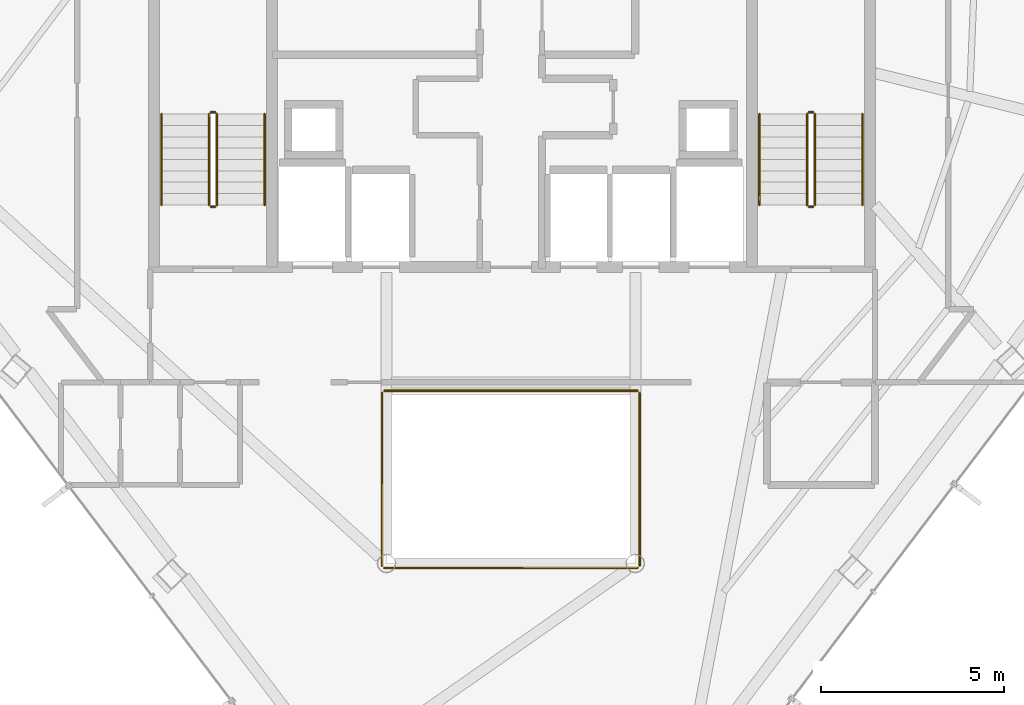
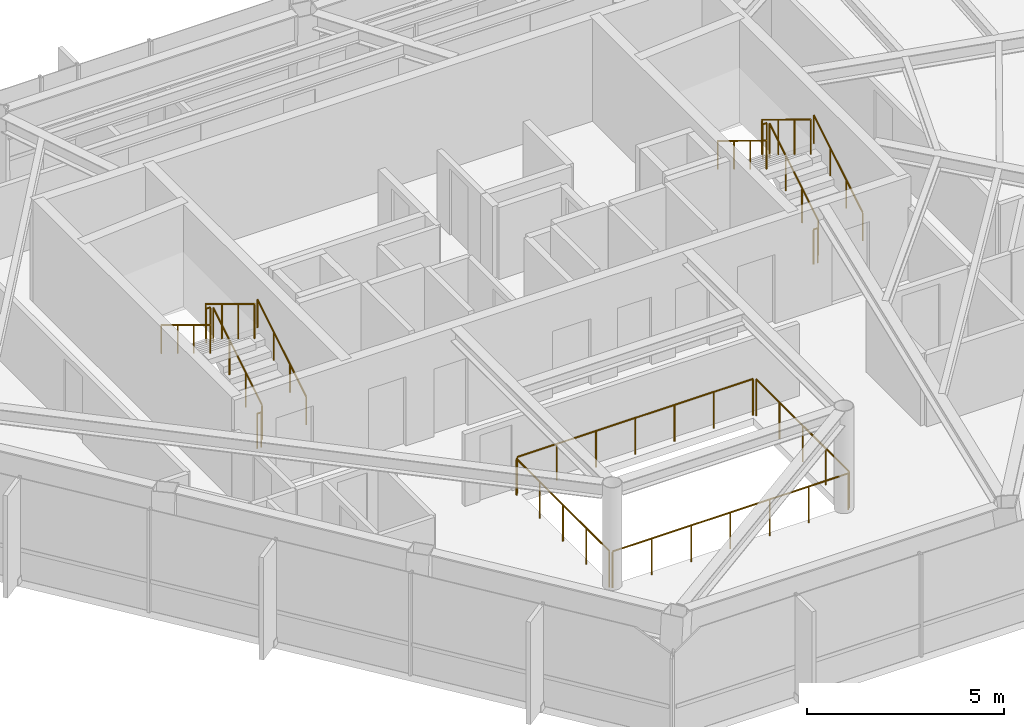
# One storey, part 25 of 25: 16 railings.
"""IFC4 building model written with IfcOpenShell, lengths in metres."""

import ifcopenshell
import ifcopenshell.guid

model = None  # the IFC model being written
_history = None  # IfcOwnerHistory: only IFC2X3 demands one
_inside = {}  # id of a spatial element -> (the spatial element, [elements in it])
_under = {}  # id of a project, library or spatial element -> (it, [spatial elements below it])
_declared = {}  # id of a project -> (the project, [libraries it declares])
_typed = {}  # id of a type object -> (the type object, [elements of that type])
_made_of = {}  # id of a material, layer set ... -> (it, [elements and type objects made of it])


def new_model(schema):
    """Start an empty IFC model of exactly this schema.

    Asked for "IFC4X3", IfcOpenShell would pick the latest addendum, in which some entities
    have other attributes; the version numbers below select the first issue.
    IFC2X3 requires an IfcOwnerHistory on every rooted entity: one is made here for all.
    """
    global model, _history
    if schema == "IFC4X3":
        model = ifcopenshell.file(schema_version=(4, 3, 0, 0))
    else:
        model = ifcopenshell.file(schema=schema)
    _inside.clear()
    _under.clear()
    _declared.clear()
    _typed.clear()
    _made_of.clear()
    _history = None
    if model.schema == "IFC2X3":
        org = make("IfcOrganization", Name="unknown")
        user = make(
            "IfcPersonAndOrganization",
            ThePerson=make("IfcPerson", FamilyName="unknown"),
            TheOrganization=org,
        )
        app = make(
            "IfcApplication",
            ApplicationDeveloper=org,
            Version="unknown",
            ApplicationFullName="unknown",
            ApplicationIdentifier="unknown",
        )
        _history = make(
            "IfcOwnerHistory",
            OwningUser=user,
            OwningApplication=app,
            ChangeAction="ADDED",
            CreationDate=0,
        )
    return model


def make(cls, **values):
    """One entity of the class cls with the attributes given. An attribute that is None is left unset."""
    return model.create_entity(
        cls, **{name: value for name, value in values.items() if value is not None}
    )


def rooted(cls, **values):
    """An entity with a GlobalId (a new one), such as an element, a storey or a relation."""
    return make(cls, GlobalId=ifcopenshell.guid.new(), OwnerHistory=_history, **values)


def si_unit(unit_type, name, prefix=None):
    """IfcSIUnit, for example si_unit("LENGTHUNIT", "METRE", prefix="MILLI")."""
    return make("IfcSIUnit", UnitType=unit_type, Prefix=prefix, Name=name)


def assignment(units):
    """IfcUnitAssignment: the units of a project."""
    return None if units is None else make("IfcUnitAssignment", Units=units)


def point(xyz):
    """IfcCartesianPoint."""
    return None if xyz is None else make("IfcCartesianPoint", Coordinates=xyz)


def direction(xyz):
    """IfcDirection."""
    return None if xyz is None else make("IfcDirection", DirectionRatios=xyz)


def frame(location, z_axis=None, x_axis=None):
    """IfcAxis2Placement3D, a coordinate frame: its origin and axes. An axis left out is left unset."""
    return make(
        "IfcAxis2Placement3D",
        Location=point(location),
        Axis=direction(z_axis),
        RefDirection=direction(x_axis),
    )


def frame_2d(location, x_axis=None):
    """IfcAxis2Placement2D, a coordinate frame in the plane: its origin and x axis."""
    return make(
        "IfcAxis2Placement2D", Location=point(location), RefDirection=direction(x_axis)
    )


def origin():
    """The frame at (0, 0, 0) with its axes left unset."""
    return frame((0.0, 0.0, 0.0))


def origin_2d():
    """The frame at (0, 0) in the plane with its x axis left unset."""
    return frame_2d((0.0, 0.0))


def place(relative_to, where):
    """IfcLocalPlacement: puts the frame where relative to a parent placement (None: the world)."""
    return make(
        "IfcLocalPlacement", PlacementRelTo=relative_to, RelativePlacement=where
    )


def context(
    kind, dimensions, precision=None, world=None, true_north=None, identifier=None
):
    """IfcGeometricRepresentationContext, for example the 3D "Model" context."""
    return make(
        "IfcGeometricRepresentationContext",
        ContextIdentifier=identifier,
        ContextType=kind,
        CoordinateSpaceDimension=dimensions,
        Precision=precision,
        WorldCoordinateSystem=world,
        TrueNorth=true_north,
    )


def subcontext(parent, identifier, kind, view, scale=None):
    """IfcGeometricRepresentationSubContext, for example "Body" below "Model"."""
    return make(
        "IfcGeometricRepresentationSubContext",
        ContextIdentifier=identifier,
        ContextType=kind,
        ParentContext=parent,
        TargetScale=scale,
        TargetView=view,
    )


def project(units=None, contexts=None):
    """IfcProject with its units and contexts."""
    return rooted(
        "IfcProject",
        Name="project",
        RepresentationContexts=contexts,
        UnitsInContext=assignment(units),
    )


def spatial(cls, under=None, at=None, **own):
    """A site, building, storey or space (cls), placed at a placement, below another one or the project."""
    s = rooted(cls, ObjectPlacement=at, **own)
    if under is not None:
        _under.setdefault(under.id(), (under, []))[1].append(s)
    return s


def profile(cls, at=None, kind="AREA", **sizes):
    """A parametric profile (cls). Its sizes go by their IFC names, for example OverallWidth=200.0."""
    return make(cls, ProfileType=kind, Position=at, **sizes)


def circle(**sizes):
    """IfcCircleProfileDef."""
    return profile("IfcCircleProfileDef", **sizes)


def extrude(swept, where, along, depth):
    """IfcExtrudedAreaSolid: the profile swept, set in the frame where, extruded along a direction by depth."""
    return make(
        "IfcExtrudedAreaSolid",
        SweptArea=swept,
        Position=where,
        ExtrudedDirection=direction(along),
        Depth=depth,
    )


def shape(context_of_items, identifier, shape_type, items):
    """IfcShapeRepresentation: the items that make up one representation, for example the "Body"."""
    return make(
        "IfcShapeRepresentation",
        ContextOfItems=context_of_items,
        RepresentationIdentifier=identifier,
        RepresentationType=shape_type,
        Items=items,
    )


def material(Name=None, Category=None):
    """IfcMaterial."""
    return make("IfcMaterial", Name=Name, Category=Category)


def made_of(thing, what):
    """Note that an element or type object is made of a material, layer set ...; save() writes the relation."""
    if what is not None:
        _made_of.setdefault(what.id(), (what, []))[1].append(thing)
    return thing


def type_object(cls, material=None, **own):
    """A type object (cls), such as IfcWallType, which elements share."""
    return made_of(rooted(cls, **own), material)


def element(
    cls,
    number,
    at=None,
    inside=None,
    cuts=None,
    type_object=None,
    material=None,
    context=None,
    identifier="Body",
    shape_type=None,
    held_by="IfcProductDefinitionShape",
    body=None,
    shapes=None,
    **own,
):
    """One element of the class cls, such as IfcWall. Its Tag is "e" and its number.

    at: its placement. inside: the storey or other place that contains it. cuts: it is an
    opening in that element (IfcRelVoidsElement). A single representation is given by context,
    identifier, shape_type and body (its items); several are given by shapes. held_by: the class
    of the entity that holds the representations. save() writes the other relations.
    """
    e = rooted(cls, Tag="e%d" % number, ObjectPlacement=at, **own)
    if body is not None:
        shapes = [shape(context, identifier, shape_type, body)]
    if shapes is not None:
        e.Representation = make(held_by, Representations=shapes)
    if inside is not None:
        _inside.setdefault(inside.id(), (inside, []))[1].append(e)
    if cuts is not None:
        rooted(
            "IfcRelVoidsElement", RelatingBuildingElement=cuts, RelatedOpeningElement=e
        )
    if type_object is not None:
        _typed.setdefault(type_object.id(), (type_object, []))[1].append(e)
    return made_of(e, material)


def aggregate(whole, parts):
    """IfcRelAggregates: a whole, such as a stair, and the parts it consists of."""
    return rooted("IfcRelAggregates", RelatingObject=whole, RelatedObjects=parts)


def save(model, path):
    """Write the relations noted so far, then the file.

    IfcRelAggregates (storeys below a building ...), IfcRelContainedInSpatialStructure (elements
    in a storey), IfcRelDefinesByType, IfcRelAssociatesMaterial and IfcRelDeclares: one each for
    every whole, place, type object, material and project.
    """
    for whole, parts in _under.values():
        aggregate(whole, parts)
    for where, things in _inside.values():
        rooted(
            "IfcRelContainedInSpatialStructure",
            RelatedElements=things,
            RelatingStructure=where,
        )
    for kind, things in _typed.values():
        rooted("IfcRelDefinesByType", RelatedObjects=things, RelatingType=kind)
    for what, things in _made_of.values():
        rooted("IfcRelAssociatesMaterial", RelatedObjects=things, RelatingMaterial=what)
    for by, libraries in _declared.values():
        rooted("IfcRelDeclares", RelatingContext=by, RelatedDefinitions=libraries)
    model.write(path)


model = new_model("IFC4")

# Units and contexts
model_context = context("Model", 3, precision=1e-05, world=origin(), true_north=direction((0.0, 1.0)))
body_context = subcontext(model_context, "Body", "Model", "MODEL_VIEW")
ifc_project = project(units=[si_unit("LENGTHUNIT", "METRE"), si_unit("AREAUNIT", "SQUARE_METRE"), si_unit("VOLUMEUNIT", "CUBIC_METRE"), si_unit("PLANEANGLEUNIT", "RADIAN"), si_unit("MASSUNIT", "GRAM", prefix="KILO")], contexts=[model_context])

# Site, building, storey
site_placement = place(None, origin())
site = spatial("IfcSite", under=ifc_project, at=site_placement, CompositionType="ELEMENT")
building_placement = place(site_placement, origin())
building = spatial("IfcBuilding", under=site, at=building_placement, Name="Zarrinselat Tower", CompositionType="ELEMENT")
storey_placement = place(building_placement, frame((0.0, 0.0, 246.159912109375)))
storey = spatial("IfcBuildingStorey", under=building, at=storey_placement, Name="L62", CompositionType="ELEMENT", Elevation=246.159912109375)

# Railings
ifc_material_1 = material(Name="Double Low-E Laminated Solar Glass", Category="glass")
railing_type_1 = type_object("IfcRailingType", Name="RLG-ATRIUM-BAL", PredefinedType="BALUSTRADE", material=ifc_material_1)
railing_1_placement = place(storey_placement, frame((34.93994140625, 25.080078125, 0.0)))
element("IfcRailing", 1, at=railing_1_placement, inside=storey, type_object=railing_type_1, Name="L62 Atrium Void Glass Balustrade S", PredefinedType="BALUSTRADE", context=body_context, shape_type="SweptSolid", body=[
    extrude(circle(Radius=0.02392578125, at=origin_2d()), frame((0.0, 0.0, 1.1259765625), z_axis=(1.0, 0.0, 0.0), x_axis=(0.0, 1.0, 0.0)), (0.0, 0.0, 1.0), 6.920166015625),
    extrude(circle(Radius=0.02099609375, at=origin_2d()), origin(), (0.0, 0.0, 1.0), 1.099853515625),
    extrude(circle(Radius=0.02099609375, at=origin_2d()), frame((1.1533203125, 0.0, 0.0)), (0.0, 0.0, 1.0), 1.099853515625),
    extrude(circle(Radius=0.02099609375, at=origin_2d()), frame((2.306640625, 0.0, 0.0)), (0.0, 0.0, 1.0), 1.099853515625),
    extrude(circle(Radius=0.02099609375, at=origin_2d()), frame((3.4599609375, 0.0, 0.0)), (0.0, 0.0, 1.0), 1.099853515625),
    extrude(circle(Radius=0.02099609375, at=origin_2d()), frame((4.613525390625, 0.0, 0.0)), (0.0, 0.0, 1.0), 1.099853515625),
    extrude(circle(Radius=0.02099609375, at=origin_2d()), frame((5.766845703125, 0.0, 0.0)), (0.0, 0.0, 1.0), 1.099853515625),
    extrude(circle(Radius=0.02099609375, at=origin_2d()), frame((6.920166015625, 0.0, 0.0)), (0.0, 0.0, 1.0), 1.099853515625),
])
railing_2_placement = place(storey_placement, frame((41.919921875, 25.139892578125, 0.0)))
element("IfcRailing", 2, at=railing_2_placement, inside=storey, type_object=railing_type_1, Name="L62 Atrium Void Glass Balustrade E", PredefinedType="BALUSTRADE", context=body_context, shape_type="SweptSolid", body=[
    extrude(circle(Radius=0.02392578125, at=origin_2d()), frame((0.0, 0.0, 1.1259765625), z_axis=(0.0, 1.0, 0.0), x_axis=(-1.0, 0.0, 0.0)), (0.0, 0.0, 1.0), 4.72021484375),
    extrude(circle(Radius=0.02099609375, at=origin_2d()), origin(), (0.0, 0.0, 1.0), 1.099853515625),
    extrude(circle(Radius=0.02099609375, at=origin_2d()), frame((0.0, 1.18017578125, 0.0)), (0.0, 0.0, 1.0), 1.099853515625),
    extrude(circle(Radius=0.02099609375, at=origin_2d()), frame((0.0, 2.360107421875, 0.0)), (0.0, 0.0, 1.0), 1.099853515625),
    extrude(circle(Radius=0.02099609375, at=origin_2d()), frame((0.0, 3.5400390625, 0.0)), (0.0, 0.0, 1.0), 1.099853515625),
    extrude(circle(Radius=0.02099609375, at=origin_2d()), frame((0.0, 4.72021484375, 0.0)), (0.0, 0.0, 1.0), 1.099853515625),
])
railing_3_placement = place(storey_placement, frame((41.860107421875, 29.919921875, 0.0)))
element("IfcRailing", 3, at=railing_3_placement, inside=storey, type_object=railing_type_1, Name="L62 Atrium Void Glass Balustrade N", PredefinedType="BALUSTRADE", context=body_context, shape_type="SweptSolid", body=[
    extrude(circle(Radius=0.02392578125, at=origin_2d()), frame((0.0, 0.0, 1.1259765625), z_axis=(-1.0, 0.0, 0.0), x_axis=(0.0, -1.0, 0.0)), (0.0, 0.0, 1.0), 6.920166015625),
    extrude(circle(Radius=0.02099609375, at=origin_2d()), origin(), (0.0, 0.0, 1.0), 1.099853515625),
    extrude(circle(Radius=0.02099609375, at=origin_2d()), frame((-1.1533203125, 0.0, 0.0)), (0.0, 0.0, 1.0), 1.099853515625),
    extrude(circle(Radius=0.02099609375, at=origin_2d()), frame((-2.306640625, 0.0, 0.0)), (0.0, 0.0, 1.0), 1.099853515625),
    extrude(circle(Radius=0.02099609375, at=origin_2d()), frame((-3.4599609375, 0.0, 0.0)), (0.0, 0.0, 1.0), 1.099853515625),
    extrude(circle(Radius=0.02099609375, at=origin_2d()), frame((-4.613525390625, 0.0, 0.0)), (0.0, 0.0, 1.0), 1.099853515625),
    extrude(circle(Radius=0.02099609375, at=origin_2d()), frame((-5.766845703125, 0.0, 0.0)), (0.0, 0.0, 1.0), 1.099853515625),
    extrude(circle(Radius=0.02099609375, at=origin_2d()), frame((-6.920166015625, 0.0, 0.0)), (0.0, 0.0, 1.0), 1.099853515625),
])
railing_4_placement = place(storey_placement, frame((34.8798828125, 29.860107421875, 0.0)))
element("IfcRailing", 4, at=railing_4_placement, inside=storey, type_object=railing_type_1, Name="L62 Atrium Void Glass Balustrade W", PredefinedType="BALUSTRADE", context=body_context, shape_type="SweptSolid", body=[
    extrude(circle(Radius=0.02392578125, at=origin_2d()), frame((0.0, 0.0, 1.1259765625), z_axis=(0.0, -1.0, 0.0), x_axis=(1.0, 0.0, 0.0)), (0.0, 0.0, 1.0), 4.72021484375),
    extrude(circle(Radius=0.02099609375, at=origin_2d()), origin(), (0.0, 0.0, 1.0), 1.099853515625),
    extrude(circle(Radius=0.02099609375, at=origin_2d()), frame((0.0, -1.18017578125, 0.0)), (0.0, 0.0, 1.0), 1.099853515625),
    extrude(circle(Radius=0.02099609375, at=origin_2d()), frame((0.0, -2.360107421875, 0.0)), (0.0, 0.0, 1.0), 1.099853515625),
    extrude(circle(Radius=0.02099609375, at=origin_2d()), frame((0.0, -3.5400390625, 0.0)), (0.0, 0.0, 1.0), 1.099853515625),
    extrude(circle(Radius=0.02099609375, at=origin_2d()), frame((0.0, -4.72021484375, 0.0)), (0.0, 0.0, 1.0), 1.099853515625),
])
ifc_material_2 = material(Name="Steel S355J2", Category="steel")
railing_type_2 = type_object("IfcRailingType", Name="RLG-STAIR-GUARD", PredefinedType="GUARDRAIL", material=ifc_material_2)
railing_5_placement = place(storey_placement, frame((30.3701171875, 35.0, 0.18896484375)))
element("IfcRailing", 5, at=railing_5_placement, inside=storey, type_object=railing_type_2, Name="L62 ST-1 stair guard 1", PredefinedType="GUARDRAIL", context=body_context, shape_type="SweptSolid", body=[
    extrude(circle(Radius=0.02392578125, at=origin_2d()), frame((0.0, 0.0, 1.076171875), z_axis=(0.0, 0.853941963558, 0.520368256982), x_axis=(-1.0, 0.0, 0.0)), (0.0, 0.0, 1.0), 2.904052734375),
    extrude(circle(Radius=0.02099609375, at=origin_2d()), origin(), (0.0, 0.0, 1.0), 1.050048828125),
    extrude(circle(Radius=0.02099609375, at=origin_2d()), frame((0.0, 0.82666015625, 0.503662109375)), (0.0, 0.0, 1.0), 1.050048828125),
    extrude(circle(Radius=0.02099609375, at=origin_2d()), frame((0.0, 1.6533203125, 1.007568359375)), (0.0, 0.0, 1.0), 1.050048828125),
    extrude(circle(Radius=0.02099609375, at=origin_2d()), frame((0.0, 2.47998046875, 1.51123046875)), (0.0, 0.0, 1.0), 1.050048828125),
])
railing_6_placement = place(storey_placement, frame((30.320068359375, 37.530029296875, 1.7001953125)))
element("IfcRailing", 6, at=railing_6_placement, inside=storey, type_object=railing_type_2, Name="L62 ST-1 stair guard 2", PredefinedType="GUARDRAIL", context=body_context, shape_type="SweptSolid", body=[
    extrude(circle(Radius=0.02392578125, at=origin_2d()), frame((0.0, 0.0, 1.076171875), z_axis=(-1.0, 0.0, 0.0), x_axis=(0.0, -1.0, 0.0)), (0.0, 0.0, 1.0), 0.1201171875),
    extrude(circle(Radius=0.02099609375, at=origin_2d()), origin(), (0.0, 0.0, 1.0), 1.050048828125),
    extrude(circle(Radius=0.02099609375, at=origin_2d()), frame((-0.1201171875, 0.0, 0.0)), (0.0, 0.0, 1.0), 1.050048828125),
])
railing_7_placement = place(storey_placement, frame((30.14990234375, 37.47998046875, 1.888916015625)))
element("IfcRailing", 7, at=railing_7_placement, inside=storey, type_object=railing_type_2, Name="L62 ST-1 stair guard 3", PredefinedType="GUARDRAIL", context=body_context, shape_type="SweptSolid", body=[
    extrude(circle(Radius=0.02392578125, at=origin_2d()), frame((0.0, 0.0, 1.076171875), z_axis=(0.0, -0.853941963558, 0.520368256982), x_axis=(1.0, 0.0, 0.0)), (0.0, 0.0, 1.0), 2.904052734375),
    extrude(circle(Radius=0.02099609375, at=origin_2d()), origin(), (0.0, 0.0, 1.0), 1.050048828125),
    extrude(circle(Radius=0.02099609375, at=origin_2d()), frame((0.0, -0.82666015625, 0.503662109375)), (0.0, 0.0, 1.0), 1.050048828125),
    extrude(circle(Radius=0.02099609375, at=origin_2d()), frame((0.0, -1.6533203125, 1.007568359375)), (0.0, 0.0, 1.0), 1.050048828125),
    extrude(circle(Radius=0.02099609375, at=origin_2d()), frame((0.0, -2.47998046875, 1.51123046875)), (0.0, 0.0, 1.0), 1.050048828125),
])
railing_8_placement = place(storey_placement, frame((30.320068359375, 34.949951171875, 0.0)))
element("IfcRailing", 8, at=railing_8_placement, inside=storey, type_object=railing_type_2, Name="L62 ST-1 stair guard 4", PredefinedType="GUARDRAIL", context=body_context, shape_type="SweptSolid", body=[
    extrude(circle(Radius=0.02392578125, at=origin_2d()), frame((0.0, 0.0, 1.076171875), z_axis=(-1.0, 0.0, 0.0), x_axis=(0.0, -1.0, 0.0)), (0.0, 0.0, 1.0), 0.1201171875),
    extrude(circle(Radius=0.02099609375, at=origin_2d()), origin(), (0.0, 0.0, 1.0), 1.050048828125),
    extrude(circle(Radius=0.02099609375, at=origin_2d()), frame((-0.1201171875, 0.0, 0.0)), (0.0, 0.0, 1.0), 1.050048828125),
])
railing_9_placement = place(storey_placement, frame((46.7099609375, 35.0, 0.18896484375)))
element("IfcRailing", 9, at=railing_9_placement, inside=storey, type_object=railing_type_2, Name="L62 ST-2 stair guard 1", PredefinedType="GUARDRAIL", context=body_context, shape_type="SweptSolid", body=[
    extrude(circle(Radius=0.02392578125, at=origin_2d()), frame((0.0, 0.0, 1.076171875), z_axis=(0.0, 0.853941963558, 0.520368256982), x_axis=(-1.0, 0.0, 0.0)), (0.0, 0.0, 1.0), 2.904052734375),
    extrude(circle(Radius=0.02099609375, at=origin_2d()), origin(), (0.0, 0.0, 1.0), 1.050048828125),
    extrude(circle(Radius=0.02099609375, at=origin_2d()), frame((0.0, 0.82666015625, 0.503662109375)), (0.0, 0.0, 1.0), 1.050048828125),
    extrude(circle(Radius=0.02099609375, at=origin_2d()), frame((0.0, 1.6533203125, 1.007568359375)), (0.0, 0.0, 1.0), 1.050048828125),
    extrude(circle(Radius=0.02099609375, at=origin_2d()), frame((0.0, 2.47998046875, 1.51123046875)), (0.0, 0.0, 1.0), 1.050048828125),
])
railing_10_placement = place(storey_placement, frame((46.659912109375, 37.530029296875, 1.7001953125)))
element("IfcRailing", 10, at=railing_10_placement, inside=storey, type_object=railing_type_2, Name="L62 ST-2 stair guard 2", PredefinedType="GUARDRAIL", context=body_context, shape_type="SweptSolid", body=[
    extrude(circle(Radius=0.02392578125, at=origin_2d()), frame((0.0, 0.0, 1.076171875), z_axis=(-1.0, 0.0, 0.0), x_axis=(0.0, -1.0, 0.0)), (0.0, 0.0, 1.0), 0.119873046875),
    extrude(circle(Radius=0.02099609375, at=origin_2d()), origin(), (0.0, 0.0, 1.0), 1.050048828125),
    extrude(circle(Radius=0.02099609375, at=origin_2d()), frame((-0.119873046875, 0.0, 0.0)), (0.0, 0.0, 1.0), 1.050048828125),
])
railing_11_placement = place(storey_placement, frame((46.489990234375, 37.47998046875, 1.888916015625)))
element("IfcRailing", 11, at=railing_11_placement, inside=storey, type_object=railing_type_2, Name="L62 ST-2 stair guard 3", PredefinedType="GUARDRAIL", context=body_context, shape_type="SweptSolid", body=[
    extrude(circle(Radius=0.02392578125, at=origin_2d()), frame((0.0, 0.0, 1.076171875), z_axis=(0.0, -0.853941963558, 0.520368256982), x_axis=(1.0, 0.0, 0.0)), (0.0, 0.0, 1.0), 2.904052734375),
    extrude(circle(Radius=0.02099609375, at=origin_2d()), origin(), (0.0, 0.0, 1.0), 1.050048828125),
    extrude(circle(Radius=0.02099609375, at=origin_2d()), frame((0.0, -0.82666015625, 0.503662109375)), (0.0, 0.0, 1.0), 1.050048828125),
    extrude(circle(Radius=0.02099609375, at=origin_2d()), frame((0.0, -1.6533203125, 1.007568359375)), (0.0, 0.0, 1.0), 1.050048828125),
    extrude(circle(Radius=0.02099609375, at=origin_2d()), frame((0.0, -2.47998046875, 1.51123046875)), (0.0, 0.0, 1.0), 1.050048828125),
])
railing_12_placement = place(storey_placement, frame((46.659912109375, 34.949951171875, 0.0)))
element("IfcRailing", 12, at=railing_12_placement, inside=storey, type_object=railing_type_2, Name="L62 ST-2 stair guard 4", PredefinedType="GUARDRAIL", context=body_context, shape_type="SweptSolid", body=[
    extrude(circle(Radius=0.02392578125, at=origin_2d()), frame((0.0, 0.0, 1.076171875), z_axis=(-1.0, 0.0, 0.0), x_axis=(0.0, -1.0, 0.0)), (0.0, 0.0, 1.0), 0.119873046875),
    extrude(circle(Radius=0.02099609375, at=origin_2d()), origin(), (0.0, 0.0, 1.0), 1.050048828125),
    extrude(circle(Radius=0.02099609375, at=origin_2d()), frame((-0.119873046875, 0.0, 0.0)), (0.0, 0.0, 1.0), 1.050048828125),
])
ifc_material_3 = material(Name="Steel S355J2", Category="steel")
railing_type_3 = type_object("IfcRailingType", Name="RLG-STAIR-HAND", PredefinedType="HANDRAIL", material=ifc_material_3)
railing_13_placement = place(storey_placement, frame((31.669921875, 35.0, 0.18896484375)))
element("IfcRailing", 13, at=railing_13_placement, inside=storey, type_object=railing_type_3, Name="L62 ST-1 stair handrail 1", PredefinedType="HANDRAIL", context=body_context, shape_type="SweptSolid", body=[
    extrude(circle(Radius=0.02392578125, at=origin_2d()), frame((0.0, 0.0, 0.8759765625), z_axis=(0.0, 0.853941963558, 0.520368256982), x_axis=(-1.0, 0.0, 0.0)), (0.0, 0.0, 1.0), 2.904052734375),
    extrude(circle(Radius=0.02099609375, at=origin_2d()), origin(), (0.0, 0.0, 1.0), 0.849853515625),
    extrude(circle(Radius=0.02099609375, at=origin_2d()), frame((0.0, 0.82666015625, 0.503662109375)), (0.0, 0.0, 1.0), 0.849853515625),
    extrude(circle(Radius=0.02099609375, at=origin_2d()), frame((0.0, 1.6533203125, 1.007568359375)), (0.0, 0.0, 1.0), 0.849853515625),
    extrude(circle(Radius=0.02099609375, at=origin_2d()), frame((0.0, 2.47998046875, 1.51123046875)), (0.0, 0.0, 1.0), 0.849853515625),
])
railing_14_placement = place(storey_placement, frame((28.85009765625, 37.47998046875, 1.888916015625)))
element("IfcRailing", 14, at=railing_14_placement, inside=storey, type_object=railing_type_3, Name="L62 ST-1 stair handrail 2", PredefinedType="HANDRAIL", context=body_context, shape_type="SweptSolid", body=[
    extrude(circle(Radius=0.02392578125, at=origin_2d()), frame((0.0, 0.0, 0.8759765625), z_axis=(0.0, -0.853941963558, 0.520368256982), x_axis=(1.0, 0.0, 0.0)), (0.0, 0.0, 1.0), 2.904052734375),
    extrude(circle(Radius=0.02099609375, at=origin_2d()), origin(), (0.0, 0.0, 1.0), 0.849853515625),
    extrude(circle(Radius=0.02099609375, at=origin_2d()), frame((0.0, -0.82666015625, 0.503662109375)), (0.0, 0.0, 1.0), 0.849853515625),
    extrude(circle(Radius=0.02099609375, at=origin_2d()), frame((0.0, -1.6533203125, 1.007568359375)), (0.0, 0.0, 1.0), 0.849853515625),
    extrude(circle(Radius=0.02099609375, at=origin_2d()), frame((0.0, -2.47998046875, 1.51123046875)), (0.0, 0.0, 1.0), 0.849853515625),
])
railing_15_placement = place(storey_placement, frame((48.010009765625, 35.0, 0.18896484375)))
element("IfcRailing", 15, at=railing_15_placement, inside=storey, type_object=railing_type_3, Name="L62 ST-2 stair handrail 1", PredefinedType="HANDRAIL", context=body_context, shape_type="SweptSolid", body=[
    extrude(circle(Radius=0.02392578125, at=origin_2d()), frame((0.0, 0.0, 0.8759765625), z_axis=(0.0, 0.853941963558, 0.520368256982), x_axis=(-1.0, 0.0, 0.0)), (0.0, 0.0, 1.0), 2.904052734375),
    extrude(circle(Radius=0.02099609375, at=origin_2d()), origin(), (0.0, 0.0, 1.0), 0.849853515625),
    extrude(circle(Radius=0.02099609375, at=origin_2d()), frame((0.0, 0.82666015625, 0.503662109375)), (0.0, 0.0, 1.0), 0.849853515625),
    extrude(circle(Radius=0.02099609375, at=origin_2d()), frame((0.0, 1.6533203125, 1.007568359375)), (0.0, 0.0, 1.0), 0.849853515625),
    extrude(circle(Radius=0.02099609375, at=origin_2d()), frame((0.0, 2.47998046875, 1.51123046875)), (0.0, 0.0, 1.0), 0.849853515625),
])
railing_16_placement = place(storey_placement, frame((45.18994140625, 37.47998046875, 1.888916015625)))
element("IfcRailing", 16, at=railing_16_placement, inside=storey, type_object=railing_type_3, Name="L62 ST-2 stair handrail 2", PredefinedType="HANDRAIL", context=body_context, shape_type="SweptSolid", body=[
    extrude(circle(Radius=0.02392578125, at=origin_2d()), frame((0.0, 0.0, 0.8759765625), z_axis=(0.0, -0.853941963558, 0.520368256982), x_axis=(1.0, 0.0, 0.0)), (0.0, 0.0, 1.0), 2.904052734375),
    extrude(circle(Radius=0.02099609375, at=origin_2d()), origin(), (0.0, 0.0, 1.0), 0.849853515625),
    extrude(circle(Radius=0.02099609375, at=origin_2d()), frame((0.0, -0.82666015625, 0.503662109375)), (0.0, 0.0, 1.0), 0.849853515625),
    extrude(circle(Radius=0.02099609375, at=origin_2d()), frame((0.0, -1.6533203125, 1.007568359375)), (0.0, 0.0, 1.0), 0.849853515625),
    extrude(circle(Radius=0.02099609375, at=origin_2d()), frame((0.0, -2.47998046875, 1.51123046875)), (0.0, 0.0, 1.0), 0.849853515625),
])

save(model, "model.ifc")
